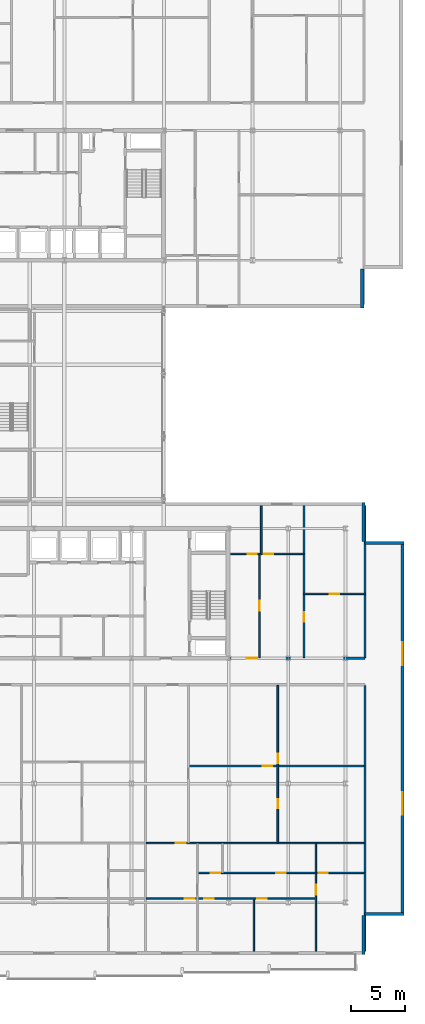
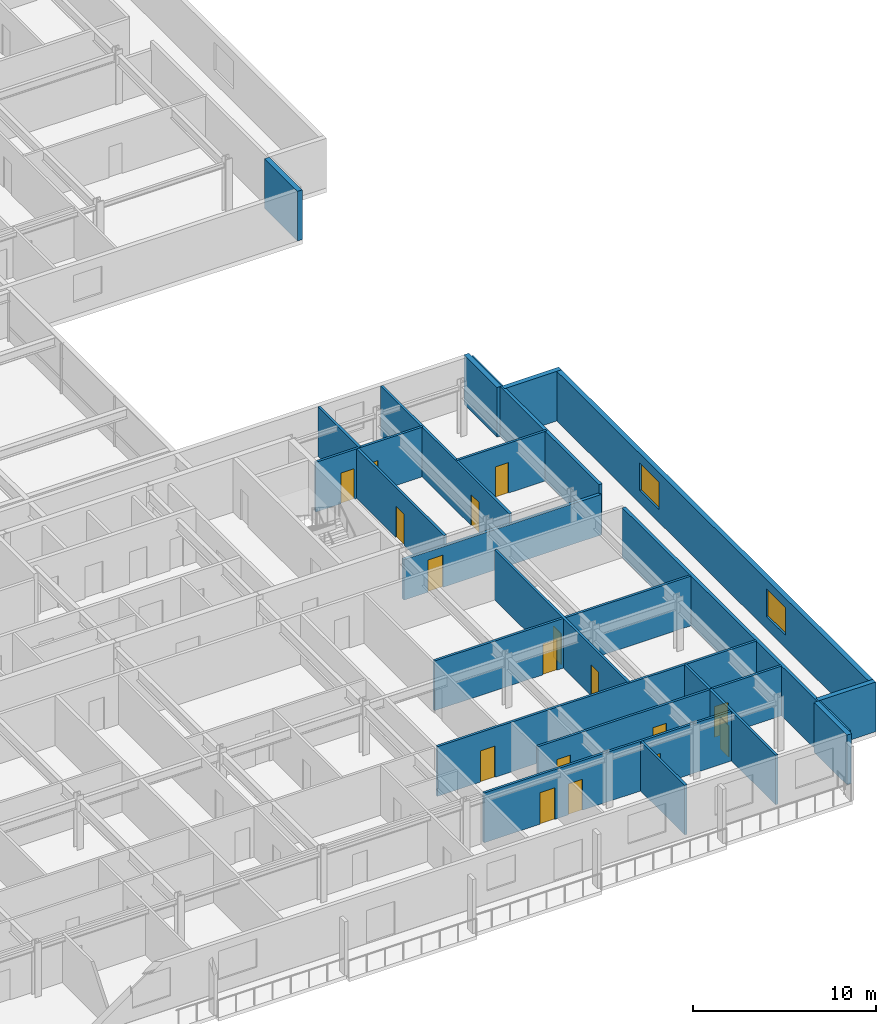
# One storey, part 23 of 36: 22 walls, 17 doors, 2 windows, 19 openings.
"""IFC4 building model written with IfcOpenShell, lengths in metres."""

from ifc_helpers import new_model, si_unit, direction, frame, frame_2d, origin, place, context, subcontext, project, spatial, rectangle, extrude, material, layer, layer_set, type_object, element, fill, save


model = new_model("IFC4")

# Units and contexts
model_context = context("Model", 3, precision=1e-05, world=origin(), true_north=direction((0.0, 1.0)))
body_context = subcontext(model_context, "Body", "Model", "MODEL_VIEW")
ifc_project = project(units=[si_unit("LENGTHUNIT", "METRE"), si_unit("AREAUNIT", "SQUARE_METRE"), si_unit("VOLUMEUNIT", "CUBIC_METRE"), si_unit("PLANEANGLEUNIT", "RADIAN"), si_unit("MASSUNIT", "GRAM", prefix="KILO")], contexts=[model_context])

# Site, building, storey
site_placement = place(None, origin())
site = spatial("IfcSite", under=ifc_project, at=site_placement, CompositionType="ELEMENT")
building_placement = place(site_placement, origin())
building = spatial("IfcBuilding", under=site, at=building_placement, Name="Korimba Cascade Residences", CompositionType="ELEMENT")
storey_placement = place(building_placement, frame((0.0, 0.0, 139.300048828125)))
storey = spatial("IfcBuildingStorey", under=building, at=storey_placement, Name="L40", CompositionType="ELEMENT", Elevation=139.300048828125)

# Walls
ifc_material_1 = material(Name="Precast concrete C40/50", Category="concrete")
ifc_layer_1 = layer(ifc_material_1, 0.300048828125)
ifc_layer_set_1 = layer_set([ifc_layer_1], Name="Precast concrete C40/50")
wall_type_1 = type_object("IfcWallType", Name="EW-STONE-300", PredefinedType="STANDARD", material=ifc_layer_set_1)
wall_1_placement = place(storey_placement, frame((130.449951171875, 50.800048828125, 0.0), z_axis=(0.0, 0.0, 1.0), x_axis=(0.0, 1.0, 0.0)))
element("IfcWall", 1, at=wall_1_placement, inside=storey, type_object=wall_type_1, Name="L40 T1 Perimeter Stone Wall E01", PredefinedType="STANDARD", context=body_context, shape_type="SweptSolid", body=[
    extrude(rectangle(XDim=3.599853515625, YDim=0.300048828125, at=frame_2d((1.7998046875, 0.0))), origin(), (0.0, 0.0, 1.0), 3.31005859375),
])
for number, where, z_axis, x_axis, name in (
    (2, (130.550048828125, -9.0, 0.0), (0.0, 0.0, 1.0), (0.0, 1.0, 0.0), "L40 T2 Perimeter Stone Wall E01"),
    (3, (130.699951171875, -5.25, 0.0), (0.0, 0.0, 1.0), (1.0, 0.0, 0.0), "L40 T2 Perimeter Stone Wall E02"),
):
    element("IfcWall", number, at=place(storey_placement, frame(where, z_axis=z_axis, x_axis=x_axis)), inside=storey, type_object=wall_type_1, Name=name, PredefinedType="STANDARD", context=body_context, shape_type="SweptSolid", body=[
        extrude(rectangle(XDim=3.60009765625, YDim=0.300048828125, at=frame_2d((1.800048828125, 0.0))), origin(), (0.0, 0.0, 1.0), 3.31005859375),
    ])

# Wall, openings, windows
wall_2_placement = place(storey_placement, frame((134.14990234375, -5.39990234375, 0.0), z_axis=(0.0, 0.0, 1.0), x_axis=(0.0, 1.0, 0.0)))
wall_2 = element("IfcWall", 4, at=wall_2_placement, inside=storey, type_object=wall_type_1, Name="L40 T2 Perimeter Stone Wall E03", PredefinedType="STANDARD", context=body_context, shape_type="SweptSolid", body=[
    extrude(rectangle(XDim=34.599853515625, YDim=0.300048828125, at=frame_2d((17.2998046875, 0.0))), origin(), (0.0, 0.0, 1.0), 3.31005859375),
])
opening_1_placement = place(wall_2_placement, frame((9.330078125, 0.0, 0.85009765625)))
opening_1 = element("IfcOpeningElement", 5, at=opening_1_placement, cuts=wall_2, Name="Opening W-03", PredefinedType="OPENING", context=body_context, shape_type="SweptSolid", body=[
    extrude(rectangle(XDim=2.10009765625, YDim=1.85009765625, at=frame_2d((1.050048828125, 0.925048828125))), frame((0.0, 0.16015625, 0.0), z_axis=(0.0, -1.0, 0.0), x_axis=(1.0, 0.0, 0.0)), (0.0, 0.0, 1.0), 0.320068359375),
])
opening_2_placement = place(wall_2_placement, frame((23.169921875, 0.0, 0.85009765625)))
opening_2 = element("IfcOpeningElement", 6, at=opening_2_placement, cuts=wall_2, Name="Opening W-03", PredefinedType="OPENING", context=body_context, shape_type="SweptSolid", body=[
    extrude(rectangle(XDim=2.10009765625, YDim=1.85009765625, at=frame_2d((1.050048828125, 0.925048828125))), frame((0.0, 0.16015625, 0.0), z_axis=(0.0, -1.0, 0.0), x_axis=(1.0, 0.0, 0.0)), (0.0, 0.0, 1.0), 0.320068359375),
])
ifc_material_2 = material(Name="Double-Glazed Aluminium Window", Category="aluminium")
window_type = type_object("IfcWindowType", Name="WIN-CRN-2100", PartitioningType="DOUBLE_PANEL_HORIZONTAL", PredefinedType="WINDOW", material=ifc_material_2)
window_1_placement = place(opening_1_placement, origin())
window_1 = element("IfcWindow", 7, at=window_1_placement, inside=storey, type_object=window_type, Name="L40 T2 End View Window 3.1", OverallHeight=1.85009765625, OverallWidth=2.10009765625, PartitioningType="DOUBLE_PANEL_HORIZONTAL", PredefinedType="WINDOW", context=body_context, shape_type="SweptSolid", body=[
    extrude(rectangle(XDim=2.10009765625, YDim=1.85009765625, at=frame_2d((1.050048828125, 0.925048828125))), frame((0.0, 0.030029296875, 0.0), z_axis=(0.0, -1.0, 0.0), x_axis=(1.0, 0.0, 0.0)), (0.0, 0.0, 1.0), 0.06005859375),
])
fill(opening_1, window_1)
window_2_placement = place(opening_2_placement, origin())
window_2 = element("IfcWindow", 8, at=window_2_placement, inside=storey, type_object=window_type, Name="L40 T2 End View Window 3.2", OverallHeight=1.85009765625, OverallWidth=2.10009765625, PartitioningType="DOUBLE_PANEL_HORIZONTAL", PredefinedType="WINDOW", context=body_context, shape_type="SweptSolid", body=[
    extrude(rectangle(XDim=2.10009765625, YDim=1.85009765625, at=frame_2d((1.050048828125, 0.925048828125))), frame((0.0, 0.030029296875, 0.0), z_axis=(0.0, -1.0, 0.0), x_axis=(1.0, 0.0, 0.0)), (0.0, 0.0, 1.0), 0.06005859375),
])
fill(opening_2, window_2)

# Walls
for number, where, z_axis, x_axis, name in (
    (9, (134.300048828125, 29.050048828125, 0.0), (0.0, 0.0, 1.0), (-1.0, 0.0, 0.0), "L40 T2 Perimeter Stone Wall E04"),
    (10, (130.550048828125, 29.199951171875, 0.0), (0.0, 0.0, 1.0), (0.0, 1.0, 0.0), "L40 T2 Perimeter Stone Wall E05"),
):
    element("IfcWall", number, at=place(storey_placement, frame(where, z_axis=z_axis, x_axis=x_axis)), inside=storey, type_object=wall_type_1, Name=name, PredefinedType="STANDARD", context=body_context, shape_type="SweptSolid", body=[
        extrude(rectangle(XDim=3.60009765625, YDim=0.300048828125, at=frame_2d((1.800048828125, 0.0))), origin(), (0.0, 0.0, 1.0), 3.31005859375),
    ])
ifc_layer_2 = layer(ifc_material_1, 0.199951171875)
ifc_layer_set_2 = layer_set([ifc_layer_2], Name="Precast concrete C40/50")
wall_type_2 = type_object("IfcWallType", Name="WAL-IT-200", PredefinedType="PARTITIONING", material=ifc_layer_set_2)
wall_3_placement = place(storey_placement, frame((130.699951171875, 18.39990234375, 0.0), z_axis=(0.0, 0.0, 1.0), x_axis=(0.0, 1.0, 0.0)))
element("IfcWall", 11, at=wall_3_placement, inside=storey, type_object=wall_type_2, Name="L40 Partition Wall WAL-L40-T2-FE-WR", PredefinedType="PARTITIONING", context=body_context, shape_type="SweptSolid", body=[
    extrude(rectangle(XDim=14.10009765625, YDim=0.199951171875, at=frame_2d((7.050048828125, 0.0))), origin(), (0.0, 0.0, 1.0), 3.31005859375),
])

# Wall, opening, door
wall_4_placement = place(storey_placement, frame((118.25, 18.39990234375, 0.0), z_axis=(0.0, 0.0, 1.0), x_axis=(1.0, 0.0, 0.0)))
wall_4 = element("IfcWall", 12, at=wall_4_placement, inside=storey, type_object=wall_type_2, Name="L40 Partition Wall WAL-L40-T2-FE-S", PredefinedType="PARTITIONING", context=body_context, shape_type="SweptSolid", body=[
    extrude(rectangle(XDim=12.449951171875, YDim=0.199951171875, at=frame_2d((6.22509765625, 0.0))), origin(), (0.0, 0.0, 1.0), 2.69775390625),
])
opening_3_placement = place(wall_4_placement, frame((1.510009765625, 0.0, 0.0)))
opening_3 = element("IfcOpeningElement", 13, at=opening_3_placement, cuts=wall_4, Name="Opening D-UN1", PredefinedType="OPENING", context=body_context, shape_type="SweptSolid", body=[
    extrude(rectangle(XDim=0.949951171875, YDim=2.14990234375, at=frame_2d((0.47509765625, 1.074951171875))), frame((0.0, 0.10986328125, 0.0), z_axis=(0.0, -1.0, 0.0), x_axis=(1.0, 0.0, 0.0)), (0.0, 0.0, 1.0), 0.219970703125),
])
ifc_material_3 = material(Name="Fire-Rated Hardwood Apartment Entrance Door", Category="wood")
door_type_1 = type_object("IfcDoorType", Name="DR-FD60-950", OperationType="NOTDEFINED", PredefinedType="DOOR", material=ifc_material_3)
door_1_placement = place(opening_3_placement, origin())
door_1 = element("IfcDoor", 14, at=door_1_placement, inside=storey, type_object=door_type_1, Name="L40-T2-FE Entrance Door", OperationType="SINGLE_SWING_LEFT", OverallHeight=2.14990234375, OverallWidth=0.949951171875, PredefinedType="DOOR", context=body_context, shape_type="SweptSolid", body=[
    extrude(rectangle(XDim=0.949951171875, YDim=2.14990234375, at=frame_2d((0.47509765625, 1.074951171875))), frame((0.0, 0.02490234375, 0.0), z_axis=(0.0, -1.0, 0.0), x_axis=(1.0, 0.0, 0.0)), (0.0, 0.0, 1.0), 0.050048828125),
])
fill(opening_3, door_1)

# Wall
wall_5_placement = place(storey_placement, frame((130.699951171875, -8.699951171875, 0.0), z_axis=(0.0, 0.0, 1.0), x_axis=(0.0, 1.0, 0.0)))
element("IfcWall", 15, at=wall_5_placement, inside=storey, type_object=wall_type_2, Name="L40 Partition Wall WAL-L40-T2-BNDWR", PredefinedType="PARTITIONING", context=body_context, shape_type="SweptSolid", body=[
    extrude(rectangle(XDim=24.570068359375, YDim=0.199951171875, at=frame_2d((12.28515625, 0.0))), origin(), (0.0, 0.0, 1.0), 3.31005859375),
])

# Wall, opening, door
ifc_material_4 = material(Name="Insulated Acoustic Stud Partition", Category="gypsum")
ifc_layer_3 = layer(ifc_material_4, 0.14990234375)
ifc_layer_set_3 = layer_set([ifc_layer_3], Name="Insulated Acoustic Stud Partition")
wall_type_3 = type_object("IfcWallType", Name="WAL-PART-150", PredefinedType="PARTITIONING", material=ifc_layer_set_3)
wall_6_placement = place(storey_placement, frame((125.050048828125, 24.35009765625, 0.0), z_axis=(0.0, 0.0, 1.0), x_axis=(1.0, 0.0, 0.0)))
wall_6 = element("IfcWall", 16, at=wall_6_placement, inside=storey, type_object=wall_type_3, Name="L40 Partition Wall WAL-L40-T2-FE-STH", PredefinedType="PARTITIONING", context=body_context, shape_type="SweptSolid", body=[
    extrude(rectangle(XDim=5.64990234375, YDim=0.14990234375, at=frame_2d((2.824951171875, 0.0))), origin(), (0.0, 0.0, 1.0), 3.31005859375),
])
opening_4_placement = place(wall_6_placement, frame((2.405029296875, 0.0, 0.0)))
opening_4 = element("IfcOpeningElement", 17, at=opening_4_placement, cuts=wall_6, Name="Opening D-BT1", PredefinedType="OPENING", context=body_context, shape_type="SweptSolid", body=[
    extrude(rectangle(XDim=0.840087890625, YDim=2.0400390625, at=frame_2d((0.419921875, 1.02001953125))), frame((0.0, 0.0849609375, 0.0), z_axis=(0.0, -1.0, 0.0), x_axis=(1.0, 0.0, 0.0)), (0.0, 0.0, 1.0), 0.169921875),
])
ifc_material_5 = material(Name="Moisture-Resistant Bathroom Timber Door", Category="wood")
door_type_2 = type_object("IfcDoorType", Name="DR-INT-850", OperationType="NOTDEFINED", PredefinedType="DOOR", material=ifc_material_5)
door_2_placement = place(opening_4_placement, origin())
door_2 = element("IfcDoor", 18, at=door_2_placement, inside=storey, type_object=door_type_2, Name="L40-T2-FE Dressing Store Door", OperationType="SINGLE_SWING_RIGHT", OverallHeight=2.0400390625, OverallWidth=0.840087890625, PredefinedType="DOOR", context=body_context, shape_type="SweptSolid", body=[
    extrude(rectangle(XDim=0.840087890625, YDim=2.0400390625, at=frame_2d((0.419921875, 1.02001953125))), frame((0.0, 0.02490234375, 0.0), z_axis=(0.0, -1.0, 0.0), x_axis=(1.0, 0.0, 0.0)), (0.0, 0.0, 1.0), 0.050048828125),
])
fill(opening_4, door_2)

wall_7_placement = place(storey_placement, frame((125.050048828125, 18.449951171875, 0.0), z_axis=(0.0, 0.0, 1.0), x_axis=(0.0, 1.0, 0.0)))
wall_7 = element("IfcWall", 19, at=wall_7_placement, inside=storey, type_object=wall_type_3, Name="L40 Partition Wall WAL-L40-T2-FE-STV", PredefinedType="PARTITIONING", context=body_context, shape_type="SweptSolid", body=[
    extrude(rectangle(XDim=14.050048828125, YDim=0.14990234375, at=frame_2d((7.02490234375, 0.0))), origin(), (0.0, 0.0, 1.0), 3.31005859375),
])
opening_5_placement = place(wall_7_placement, frame((3.320068359375, 0.0, 0.0)))
opening_5 = element("IfcOpeningElement", 20, at=opening_5_placement, cuts=wall_7, Name="Opening D-IN2", PredefinedType="OPENING", context=body_context, shape_type="SweptSolid", body=[
    extrude(rectangle(XDim=0.8798828125, YDim=2.06005859375, at=frame_2d((0.43994140625, 1.030029296875))), frame((0.0, 0.0849609375, 0.0), z_axis=(0.0, -1.0, 0.0), x_axis=(1.0, 0.0, 0.0)), (0.0, 0.0, 1.0), 0.169921875),
])
ifc_material_6 = material(Name="Acoustic Timber Bedroom Door", Category="wood")
door_type_3 = type_object("IfcDoorType", Name="DR-INT-880", OperationType="NOTDEFINED", PredefinedType="DOOR", material=ifc_material_6)
door_3_placement = place(opening_5_placement, origin())
door_3 = element("IfcDoor", 21, at=door_3_placement, inside=storey, type_object=door_type_3, Name="L40-T2-FE Study Door", OperationType="SINGLE_SWING_LEFT", OverallHeight=2.06005859375, OverallWidth=0.8798828125, PredefinedType="DOOR", context=body_context, shape_type="SweptSolid", body=[
    extrude(rectangle(XDim=0.8798828125, YDim=2.06005859375, at=frame_2d((0.43994140625, 1.030029296875))), frame((0.0, 0.02490234375, 0.0), z_axis=(0.0, -1.0, 0.0), x_axis=(1.0, 0.0, 0.0)), (0.0, 0.0, 1.0), 0.050048828125),
])
fill(opening_5, door_3)

wall_8_placement = place(storey_placement, frame((120.929931640625, 18.449951171875, 0.0), z_axis=(0.0, 0.0, 1.0), x_axis=(0.0, 1.0, 0.0)))
wall_8 = element("IfcWall", 22, at=wall_8_placement, inside=storey, type_object=wall_type_3, Name="L40 Partition Wall WAL-L40-T2-FE-VS", PredefinedType="PARTITIONING", context=body_context, shape_type="SweptSolid", body=[
    extrude(rectangle(XDim=9.60009765625, YDim=0.14990234375, at=frame_2d((4.800048828125, 0.0))), origin(), (0.0, 0.0, 1.0), 3.31005859375),
])
opening_6_placement = place(wall_8_placement, frame((4.340087890625, 0.0, 0.0)))
opening_6 = element("IfcOpeningElement", 23, at=opening_6_placement, cuts=wall_8, Name="Opening D-IN1", PredefinedType="OPENING", context=body_context, shape_type="SweptSolid", body=[
    extrude(rectangle(XDim=0.919921875, YDim=2.080078125, at=frame_2d((0.4599609375, 1.0400390625))), frame((0.0, 0.0849609375, 0.0), z_axis=(0.0, -1.0, 0.0), x_axis=(1.0, 0.0, 0.0)), (0.0, 0.0, 1.0), 0.169921875),
])
ifc_material_7 = material(Name="Acoustic Timber Living Door", Category="wood")
door_type_4 = type_object("IfcDoorType", Name="DR-INT-920", OperationType="NOTDEFINED", PredefinedType="DOOR", material=ifc_material_7)
door_4_placement = place(opening_6_placement, origin())
door_4 = element("IfcDoor", 24, at=door_4_placement, inside=storey, type_object=door_type_4, Name="L40-T2-FE Living Door", OperationType="SINGLE_SWING_RIGHT", OverallHeight=2.080078125, OverallWidth=0.919921875, PredefinedType="DOOR", context=body_context, shape_type="SweptSolid", body=[
    extrude(rectangle(XDim=0.919921875, YDim=2.080078125, at=frame_2d((0.4599609375, 1.0400390625))), frame((0.0, 0.02490234375, 0.0), z_axis=(0.0, -1.0, 0.0), x_axis=(1.0, 0.0, 0.0)), (0.0, 0.0, 1.0), 0.050048828125),
])
fill(opening_6, door_4)

# Wall
wall_9_placement = place(storey_placement, frame((121.10009765625, 28.050048828125, 0.0), z_axis=(0.0, 0.0, 1.0), x_axis=(0.0, 1.0, 0.0)))
element("IfcWall", 25, at=wall_9_placement, inside=storey, type_object=wall_type_3, Name="L40 Partition Wall WAL-L40-T2-FE-VN", PredefinedType="PARTITIONING", context=body_context, shape_type="SweptSolid", body=[
    extrude(rectangle(XDim=4.449951171875, YDim=0.14990234375, at=frame_2d((2.22509765625, 0.0))), origin(), (0.0, 0.0, 1.0), 3.31005859375),
])

# Wall, openings, doors
wall_10_placement = place(storey_placement, frame((118.27001953125, 28.050048828125, 0.0), z_axis=(0.0, 0.0, 1.0), x_axis=(1.0, 0.0, 0.0)))
wall_10 = element("IfcWall", 26, at=wall_10_placement, inside=storey, type_object=wall_type_3, Name="L40 Partition Wall WAL-L40-T2-FE-H", PredefinedType="PARTITIONING", context=body_context, shape_type="SweptSolid", body=[
    extrude(rectangle(XDim=6.760009765625, YDim=0.14990234375, at=frame_2d((3.3798828125, 0.0))), origin(), (0.0, 0.0, 1.0), 3.31005859375),
])
opening_7_placement = place(wall_10_placement, frame((1.58740234375, 0.0, 0.0)))
opening_7 = element("IfcOpeningElement", 27, at=opening_7_placement, cuts=wall_10, Name="Opening D-BT1", PredefinedType="OPENING", context=body_context, shape_type="SweptSolid", body=[
    extrude(rectangle(XDim=0.840087890625, YDim=2.0400390625, at=frame_2d((0.419921875, 1.02001953125))), frame((0.0, 0.0849609375, 0.0), z_axis=(0.0, -1.0, 0.0), x_axis=(1.0, 0.0, 0.0)), (0.0, 0.0, 1.0), 0.169921875),
])
opening_8_placement = place(wall_10_placement, frame((3.0419921875, 0.0, 0.0)))
opening_8 = element("IfcOpeningElement", 28, at=opening_8_placement, cuts=wall_10, Name="Opening D-IN2", PredefinedType="OPENING", context=body_context, shape_type="SweptSolid", body=[
    extrude(rectangle(XDim=0.8798828125, YDim=2.06005859375, at=frame_2d((0.43994140625, 1.030029296875))), frame((0.0, 0.0849609375, 0.0), z_axis=(0.0, -1.0, 0.0), x_axis=(1.0, 0.0, 0.0)), (0.0, 0.0, 1.0), 0.169921875),
])
door_5_placement = place(opening_7_placement, origin())
door_5 = element("IfcDoor", 29, at=door_5_placement, inside=storey, type_object=door_type_2, Name="L40-T2-FE Bathroom Door", OperationType="SINGLE_SWING_LEFT", OverallHeight=2.0400390625, OverallWidth=0.840087890625, PredefinedType="DOOR", context=body_context, shape_type="SweptSolid", body=[
    extrude(rectangle(XDim=0.840087890625, YDim=2.0400390625, at=frame_2d((0.419921875, 1.02001953125))), frame((0.0, 0.02490234375, 0.0), z_axis=(0.0, -1.0, 0.0), x_axis=(1.0, 0.0, 0.0)), (0.0, 0.0, 1.0), 0.050048828125),
])
fill(opening_7, door_5)
door_6_placement = place(opening_8_placement, origin())
door_6 = element("IfcDoor", 30, at=door_6_placement, inside=storey, type_object=door_type_3, Name="L40-T2-FE Bedroom Door", OperationType="SINGLE_SWING_RIGHT", OverallHeight=2.06005859375, OverallWidth=0.8798828125, PredefinedType="DOOR", context=body_context, shape_type="SweptSolid", body=[
    extrude(rectangle(XDim=0.8798828125, YDim=2.06005859375, at=frame_2d((0.43994140625, 1.030029296875))), frame((0.0, 0.02490234375, 0.0), z_axis=(0.0, -1.0, 0.0), x_axis=(1.0, 0.0, 0.0)), (0.0, 0.0, 1.0), 0.050048828125),
])
fill(opening_8, door_6)

wall_11_placement = place(storey_placement, frame((122.629150390625, 1.340087890625, 0.0), z_axis=(0.0, 0.0, 1.0), x_axis=(0.0, 1.0, 0.0)))
wall_11 = element("IfcWall", 31, at=wall_11_placement, inside=storey, type_object=wall_type_3, Name="L40 Partition Wall WAL-L40-T2-U03-FMV", PredefinedType="PARTITIONING", context=body_context, shape_type="SweptSolid", body=[
    extrude(rectangle(XDim=14.5498046875, YDim=0.14990234375, at=frame_2d((7.27490234375, 0.0))), origin(), (0.0, 0.0, 1.0), 3.31005859375),
])
opening_9_placement = place(wall_11_placement, frame((3.177490234375, 0.0, 0.0)))
opening_9 = element("IfcOpeningElement", 32, at=opening_9_placement, cuts=wall_11, Name="Opening D-BT1", PredefinedType="OPENING", context=body_context, shape_type="SweptSolid", body=[
    extrude(rectangle(XDim=0.840087890625, YDim=2.0400390625, at=frame_2d((0.419921875, 1.02001953125))), frame((0.0, 0.0849609375, 0.0), z_axis=(0.0, -1.0, 0.0), x_axis=(1.0, 0.0, 0.0)), (0.0, 0.0, 1.0), 0.169921875),
])
opening_10_placement = place(wall_11_placement, frame((7.344970703125, 0.0, 0.0)))
opening_10 = element("IfcOpeningElement", 33, at=opening_10_placement, cuts=wall_11, Name="Opening D-IN2", PredefinedType="OPENING", context=body_context, shape_type="SweptSolid", body=[
    extrude(rectangle(XDim=0.8798828125, YDim=2.06005859375, at=frame_2d((0.43994140625, 1.030029296875))), frame((0.0, 0.0849609375, 0.0), z_axis=(0.0, -1.0, 0.0), x_axis=(1.0, 0.0, 0.0)), (0.0, 0.0, 1.0), 0.169921875),
])
door_7_placement = place(opening_9_placement, origin())
door_7 = element("IfcDoor", 34, at=door_7_placement, inside=storey, type_object=door_type_2, Name="L40-T2-U03 Wardrobe Door", OperationType="SINGLE_SWING_RIGHT", OverallHeight=2.0400390625, OverallWidth=0.840087890625, PredefinedType="DOOR", context=body_context, shape_type="SweptSolid", body=[
    extrude(rectangle(XDim=0.840087890625, YDim=2.0400390625, at=frame_2d((0.419921875, 1.02001953125))), frame((0.0, 0.02490234375, 0.0), z_axis=(0.0, -1.0, 0.0), x_axis=(1.0, 0.0, 0.0)), (0.0, 0.0, 1.0), 0.050048828125),
])
fill(opening_9, door_7)
door_8_placement = place(opening_10_placement, origin())
door_8 = element("IfcDoor", 35, at=door_8_placement, inside=storey, type_object=door_type_3, Name="L40-T2-U03 Music Lounge Door", OperationType="SINGLE_SWING_LEFT", OverallHeight=2.06005859375, OverallWidth=0.8798828125, PredefinedType="DOOR", context=body_context, shape_type="SweptSolid", body=[
    extrude(rectangle(XDim=0.8798828125, YDim=2.06005859375, at=frame_2d((0.43994140625, 1.030029296875))), frame((0.0, 0.02490234375, 0.0), z_axis=(0.0, -1.0, 0.0), x_axis=(1.0, 0.0, 0.0)), (0.0, 0.0, 1.0), 0.050048828125),
])
fill(opening_10, door_8)

# Wall, opening, door
wall_12_placement = place(storey_placement, frame((114.438232421875, 8.43505859375, 0.0), z_axis=(0.0, 0.0, 1.0), x_axis=(1.0, 0.0, 0.0)))
wall_12 = element("IfcWall", 36, at=wall_12_placement, inside=storey, type_object=wall_type_3, Name="L40 Partition Wall WAL-L40-T2-U03-FMH", PredefinedType="PARTITIONING", context=body_context, shape_type="SweptSolid", body=[
    extrude(rectangle(XDim=16.181884765625, YDim=0.14990234375, at=frame_2d((8.0908203125, 0.0))), origin(), (0.0, 0.0, 1.0), 3.31005859375),
])
opening_11_placement = place(wall_12_placement, frame((6.8212890625, 0.0, 0.0)))
opening_11 = element("IfcOpeningElement", 37, at=opening_11_placement, cuts=wall_12, Name="Opening D-IN2", PredefinedType="OPENING", context=body_context, shape_type="SweptSolid", body=[
    extrude(rectangle(XDim=0.8798828125, YDim=2.06005859375, at=frame_2d((0.43994140625, 1.030029296875))), frame((0.0, 0.0849609375, 0.0), z_axis=(0.0, -1.0, 0.0), x_axis=(1.0, 0.0, 0.0)), (0.0, 0.0, 1.0), 0.169921875),
])
door_9_placement = place(opening_11_placement, origin())
door_9 = element("IfcDoor", 38, at=door_9_placement, inside=storey, type_object=door_type_3, Name="L40-T2-U03 Library Salon Door", OperationType="SINGLE_SWING_RIGHT", OverallHeight=2.06005859375, OverallWidth=0.8798828125, PredefinedType="DOOR", context=body_context, shape_type="SweptSolid", body=[
    extrude(rectangle(XDim=0.8798828125, YDim=2.06005859375, at=frame_2d((0.43994140625, 1.030029296875))), frame((0.0, 0.02490234375, 0.0), z_axis=(0.0, -1.0, 0.0), x_axis=(1.0, 0.0, 0.0)), (0.0, 0.0, 1.0), 0.050048828125),
])
fill(opening_11, door_9)

# Walls
wall_13_placement = place(storey_placement, frame((120.424072265625, -8.699951171875, 0.0), z_axis=(0.0, 0.0, 1.0), x_axis=(0.0, 1.0, 0.0)))
element("IfcWall", 39, at=wall_13_placement, inside=storey, type_object=wall_type_3, Name="L40 Partition Wall WAL-L40-T2-U03-VSTD", PredefinedType="PARTITIONING", context=body_context, shape_type="SweptSolid", body=[
    extrude(rectangle(XDim=4.820068359375, YDim=0.14990234375, at=frame_2d((2.41015625, 0.0))), origin(), (0.0, 0.0, 1.0), 3.31005859375),
])
wall_14_placement = place(storey_placement, frame((126.14990234375, -1.429931640625, 0.0), z_axis=(0.0, 0.0, 1.0), x_axis=(0.0, 1.0, 0.0)))
element("IfcWall", 40, at=wall_14_placement, inside=storey, type_object=wall_type_3, Name="L40 Partition Wall WAL-L40-T2-U03-VBATH", PredefinedType="PARTITIONING", context=body_context, shape_type="SweptSolid", body=[
    extrude(rectangle(XDim=2.68994140625, YDim=0.14990234375, at=frame_2d((1.344970703125, 0.0))), origin(), (0.0, 0.0, 1.0), 3.31005859375),
])

# Wall, opening, door
wall_15_placement = place(storey_placement, frame((126.14990234375, -8.699951171875, 0.0), z_axis=(0.0, 0.0, 1.0), x_axis=(0.0, 1.0, 0.0)))
wall_15 = element("IfcWall", 41, at=wall_15_placement, inside=storey, type_object=wall_type_3, Name="L40 Partition Wall WAL-L40-T2-U03-V2FULL", PredefinedType="PARTITIONING", context=body_context, shape_type="SweptSolid", body=[
    extrude(rectangle(XDim=7.22998046875, YDim=0.14990234375, at=frame_2d((3.614990234375, 0.0))), origin(), (0.0, 0.0, 1.0), 3.31005859375),
])
opening_12_placement = place(wall_15_placement, frame((5.219970703125, 0.0, 0.0)))
opening_12 = element("IfcOpeningElement", 42, at=opening_12_placement, cuts=wall_15, Name="Opening D-IN1", PredefinedType="OPENING", context=body_context, shape_type="SweptSolid", body=[
    extrude(rectangle(XDim=0.919921875, YDim=2.080078125, at=frame_2d((0.4599609375, 1.0400390625))), frame((0.0, 0.0849609375, 0.0), z_axis=(0.0, -1.0, 0.0), x_axis=(1.0, 0.0, 0.0)), (0.0, 0.0, 1.0), 0.169921875),
])
door_10_placement = place(opening_12_placement, origin())
door_10 = element("IfcDoor", 43, at=door_10_placement, inside=storey, type_object=door_type_4, Name="L40-T2-U03 Master Bedroom Door", OperationType="SINGLE_SWING_LEFT", OverallHeight=2.080078125, OverallWidth=0.919921875, PredefinedType="DOOR", context=body_context, shape_type="SweptSolid", body=[
    extrude(rectangle(XDim=0.919921875, YDim=2.080078125, at=frame_2d((0.4599609375, 1.0400390625))), frame((0.0, 0.02490234375, 0.0), z_axis=(0.0, -1.0, 0.0), x_axis=(1.0, 0.0, 0.0)), (0.0, 0.0, 1.0), 0.050048828125),
])
fill(opening_12, door_10)

# Wall, openings, doors
wall_16_placement = place(storey_placement, frame((115.23828125, -1.449951171875, 0.0), z_axis=(0.0, 0.0, 1.0), x_axis=(1.0, 0.0, 0.0)))
wall_16 = element("IfcWall", 44, at=wall_16_placement, inside=storey, type_object=wall_type_3, Name="L40 Partition Wall WAL-L40-T2-U03-HWALL", PredefinedType="PARTITIONING", context=body_context, shape_type="SweptSolid", body=[
    extrude(rectangle(XDim=15.3818359375, YDim=0.14990234375, at=frame_2d((7.69091796875, 0.0))), origin(), (0.0, 0.0, 1.0), 3.31005859375),
])
opening_13_placement = place(wall_16_placement, frame((1.2099609375, 0.0, 0.0)))
opening_13 = element("IfcOpeningElement", 45, at=opening_13_placement, cuts=wall_16, Name="Opening D-BT1", PredefinedType="OPENING", context=body_context, shape_type="SweptSolid", body=[
    extrude(rectangle(XDim=0.840087890625, YDim=2.0400390625, at=frame_2d((0.419921875, 1.02001953125))), frame((0.0, 0.0849609375, 0.0), z_axis=(0.0, -1.0, 0.0), x_axis=(1.0, 0.0, 0.0)), (0.0, 0.0, 1.0), 0.169921875),
])
opening_14_placement = place(wall_16_placement, frame((7.27099609375, 0.0, 0.0)))
opening_14 = element("IfcOpeningElement", 46, at=opening_14_placement, cuts=wall_16, Name="Opening D-BT1", PredefinedType="OPENING", context=body_context, shape_type="SweptSolid", body=[
    extrude(rectangle(XDim=0.840087890625, YDim=2.0400390625, at=frame_2d((0.419921875, 1.02001953125))), frame((0.0, 0.0849609375, 0.0), z_axis=(0.0, -1.0, 0.0), x_axis=(1.0, 0.0, 0.0)), (0.0, 0.0, 1.0), 0.169921875),
])
opening_15_placement = place(wall_16_placement, frame((11.16162109375, 0.0, 0.0)))
opening_15 = element("IfcOpeningElement", 47, at=opening_15_placement, cuts=wall_16, Name="Opening D-BT1", PredefinedType="OPENING", context=body_context, shape_type="SweptSolid", body=[
    extrude(rectangle(XDim=0.840087890625, YDim=2.0400390625, at=frame_2d((0.419921875, 1.02001953125))), frame((0.0, 0.0849609375, 0.0), z_axis=(0.0, -1.0, 0.0), x_axis=(1.0, 0.0, 0.0)), (0.0, 0.0, 1.0), 0.169921875),
])
door_11_placement = place(opening_13_placement, origin())
door_11 = element("IfcDoor", 48, at=door_11_placement, inside=storey, type_object=door_type_2, Name="L40-T2-U03 Family Bathroom Door", OperationType="SINGLE_SWING_RIGHT", OverallHeight=2.0400390625, OverallWidth=0.840087890625, PredefinedType="DOOR", context=body_context, shape_type="SweptSolid", body=[
    extrude(rectangle(XDim=0.840087890625, YDim=2.0400390625, at=frame_2d((0.419921875, 1.02001953125))), frame((0.0, 0.02490234375, 0.0), z_axis=(0.0, -1.0, 0.0), x_axis=(1.0, 0.0, 0.0)), (0.0, 0.0, 1.0), 0.050048828125),
])
fill(opening_13, door_11)
door_12_placement = place(opening_14_placement, origin())
door_12 = element("IfcDoor", 49, at=door_12_placement, inside=storey, type_object=door_type_2, Name="L40-T2-U03 Dressing Room Door", OperationType="SINGLE_SWING_LEFT", OverallHeight=2.0400390625, OverallWidth=0.840087890625, PredefinedType="DOOR", context=body_context, shape_type="SweptSolid", body=[
    extrude(rectangle(XDim=0.840087890625, YDim=2.0400390625, at=frame_2d((0.419921875, 1.02001953125))), frame((0.0, 0.02490234375, 0.0), z_axis=(0.0, -1.0, 0.0), x_axis=(1.0, 0.0, 0.0)), (0.0, 0.0, 1.0), 0.050048828125),
])
fill(opening_14, door_12)
door_13_placement = place(opening_15_placement, origin())
door_13 = element("IfcDoor", 50, at=door_13_placement, inside=storey, type_object=door_type_2, Name="L40-T2-U03 En-Suite Door", OperationType="SINGLE_SWING_RIGHT", OverallHeight=2.0400390625, OverallWidth=0.840087890625, PredefinedType="DOOR", context=body_context, shape_type="SweptSolid", body=[
    extrude(rectangle(XDim=0.840087890625, YDim=2.0400390625, at=frame_2d((0.419921875, 1.02001953125))), frame((0.0, 0.02490234375, 0.0), z_axis=(0.0, -1.0, 0.0), x_axis=(1.0, 0.0, 0.0)), (0.0, 0.0, 1.0), 0.050048828125),
])
fill(opening_15, door_13)

# Wall, opening, door
wall_17_placement = place(storey_placement, frame((110.48828125, 1.300048828125, 0.0), z_axis=(0.0, 0.0, 1.0), x_axis=(1.0, 0.0, 0.0)))
wall_17 = element("IfcWall", 51, at=wall_17_placement, inside=storey, type_object=wall_type_3, Name="L40 Partition Wall WAL-L40-T2-U03-MW", PredefinedType="PARTITIONING", context=body_context, shape_type="SweptSolid", body=[
    extrude(rectangle(XDim=20.1318359375, YDim=0.14990234375, at=frame_2d((10.06591796875, 0.0))), origin(), (0.0, 0.0, 1.0), 3.31005859375),
])
opening_16_placement = place(wall_17_placement, frame((2.719970703125, 0.0, 0.0)))
opening_16 = element("IfcOpeningElement", 52, at=opening_16_placement, cuts=wall_17, Name="Opening D-IN1", PredefinedType="OPENING", context=body_context, shape_type="SweptSolid", body=[
    extrude(rectangle(XDim=0.919921875, YDim=2.080078125, at=frame_2d((0.4599609375, 1.0400390625))), frame((0.0, 0.0849609375, 0.0), z_axis=(0.0, -1.0, 0.0), x_axis=(1.0, 0.0, 0.0)), (0.0, 0.0, 1.0), 0.169921875),
])
door_14_placement = place(opening_16_placement, origin())
door_14 = element("IfcDoor", 53, at=door_14_placement, inside=storey, type_object=door_type_4, Name="L40-T2-U03 Kitchen Door", OperationType="SINGLE_SWING_LEFT", OverallHeight=2.080078125, OverallWidth=0.919921875, PredefinedType="DOOR", context=body_context, shape_type="SweptSolid", body=[
    extrude(rectangle(XDim=0.919921875, YDim=2.080078125, at=frame_2d((0.4599609375, 1.0400390625))), frame((0.0, 0.02490234375, 0.0), z_axis=(0.0, -1.0, 0.0), x_axis=(1.0, 0.0, 0.0)), (0.0, 0.0, 1.0), 0.050048828125),
])
fill(opening_16, door_14)

# Wall, openings, doors
wall_18_placement = place(storey_placement, frame((110.48828125, -3.800048828125, 0.0), z_axis=(0.0, 0.0, 1.0), x_axis=(1.0, 0.0, 0.0)))
wall_18 = element("IfcWall", 54, at=wall_18_placement, inside=storey, type_object=wall_type_3, Name="L40 Partition Wall WAL-L40-T2-U03-HZ", PredefinedType="PARTITIONING", context=body_context, shape_type="SweptSolid", body=[
    extrude(rectangle(XDim=15.66162109375, YDim=0.14990234375, at=frame_2d((7.830810546875, 0.0))), origin(), (0.0, 0.0, 1.0), 3.31005859375),
])
opening_17_placement = place(wall_18_placement, frame((3.52001953125, 0.0, 0.0)))
opening_17 = element("IfcOpeningElement", 55, at=opening_17_placement, cuts=wall_18, Name="Opening D-IN0", PredefinedType="OPENING", context=body_context, shape_type="SweptSolid", body=[
    extrude(rectangle(XDim=0.93994140625, YDim=2.10009765625, at=frame_2d((0.469970703125, 1.050048828125))), frame((0.0, 0.0849609375, 0.0), z_axis=(0.0, -1.0, 0.0), x_axis=(1.0, 0.0, 0.0)), (0.0, 0.0, 1.0), 0.169921875),
])
opening_18_placement = place(wall_18_placement, frame((5.320556640625, 0.0, 0.0)))
opening_18 = element("IfcOpeningElement", 56, at=opening_18_placement, cuts=wall_18, Name="Opening D-IN2", PredefinedType="OPENING", context=body_context, shape_type="SweptSolid", body=[
    extrude(rectangle(XDim=0.8798828125, YDim=2.06005859375, at=frame_2d((0.43994140625, 1.030029296875))), frame((0.0, 0.0849609375, 0.0), z_axis=(0.0, -1.0, 0.0), x_axis=(1.0, 0.0, 0.0)), (0.0, 0.0, 1.0), 0.169921875),
])
opening_19_placement = place(wall_18_placement, frame((10.243896484375, 0.0, 0.0)))
opening_19 = element("IfcOpeningElement", 57, at=opening_19_placement, cuts=wall_18, Name="Opening D-IN2", PredefinedType="OPENING", context=body_context, shape_type="SweptSolid", body=[
    extrude(rectangle(XDim=0.8798828125, YDim=2.06005859375, at=frame_2d((0.43994140625, 1.030029296875))), frame((0.0, 0.0849609375, 0.0), z_axis=(0.0, -1.0, 0.0), x_axis=(1.0, 0.0, 0.0)), (0.0, 0.0, 1.0), 0.169921875),
])
door_15_placement = place(opening_18_placement, origin())
door_15 = element("IfcDoor", 58, at=door_15_placement, inside=storey, type_object=door_type_3, Name="L40-T2-U03 Bedroom 2 Door", OperationType="SINGLE_SWING_LEFT", OverallHeight=2.06005859375, OverallWidth=0.8798828125, PredefinedType="DOOR", context=body_context, shape_type="SweptSolid", body=[
    extrude(rectangle(XDim=0.8798828125, YDim=2.06005859375, at=frame_2d((0.43994140625, 1.030029296875))), frame((0.0, 0.02490234375, 0.0), z_axis=(0.0, -1.0, 0.0), x_axis=(1.0, 0.0, 0.0)), (0.0, 0.0, 1.0), 0.050048828125),
])
fill(opening_18, door_15)
door_16_placement = place(opening_19_placement, origin())
door_16 = element("IfcDoor", 59, at=door_16_placement, inside=storey, type_object=door_type_3, Name="L40-T2-U03 Study Door", OperationType="SINGLE_SWING_RIGHT", OverallHeight=2.06005859375, OverallWidth=0.8798828125, PredefinedType="DOOR", context=body_context, shape_type="SweptSolid", body=[
    extrude(rectangle(XDim=0.8798828125, YDim=2.06005859375, at=frame_2d((0.43994140625, 1.030029296875))), frame((0.0, 0.02490234375, 0.0), z_axis=(0.0, -1.0, 0.0), x_axis=(1.0, 0.0, 0.0)), (0.0, 0.0, 1.0), 0.050048828125),
])
fill(opening_19, door_16)
ifc_material_8 = material(Name="Acoustic Timber Living Archway Door", Category="wood")
door_type_5 = type_object("IfcDoorType", Name="DR-INT-950", OperationType="NOTDEFINED", PredefinedType="DOOR", material=ifc_material_8)
door_17_placement = place(opening_17_placement, origin())
door_17 = element("IfcDoor", 60, at=door_17_placement, inside=storey, type_object=door_type_5, Name="L40-T2-U03 Living Room Door", OperationType="SINGLE_SWING_RIGHT", OverallHeight=2.10009765625, OverallWidth=0.93994140625, PredefinedType="DOOR", context=body_context, shape_type="SweptSolid", body=[
    extrude(rectangle(XDim=0.93994140625, YDim=2.10009765625, at=frame_2d((0.469970703125, 1.050048828125))), frame((0.0, 0.02490234375, 0.0), z_axis=(0.0, -1.0, 0.0), x_axis=(1.0, 0.0, 0.0)), (0.0, 0.0, 1.0), 0.050048828125),
])
fill(opening_17, door_17)

save(model, "model.ifc")
